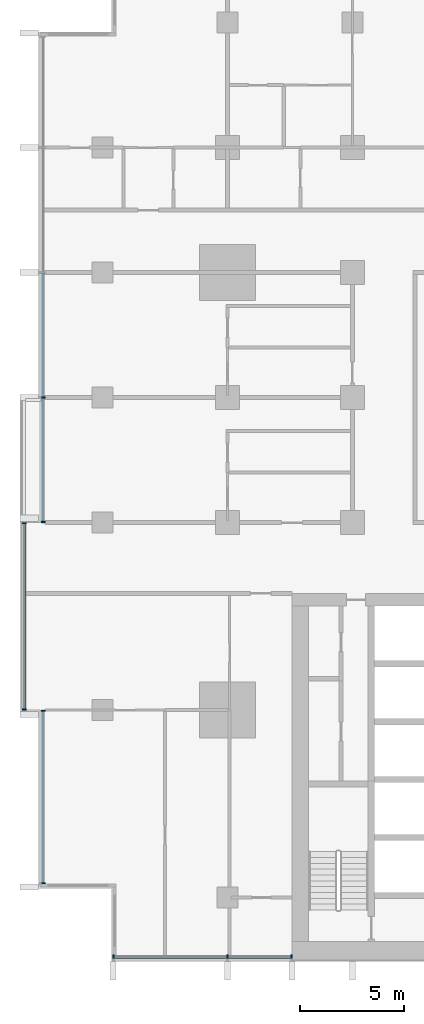
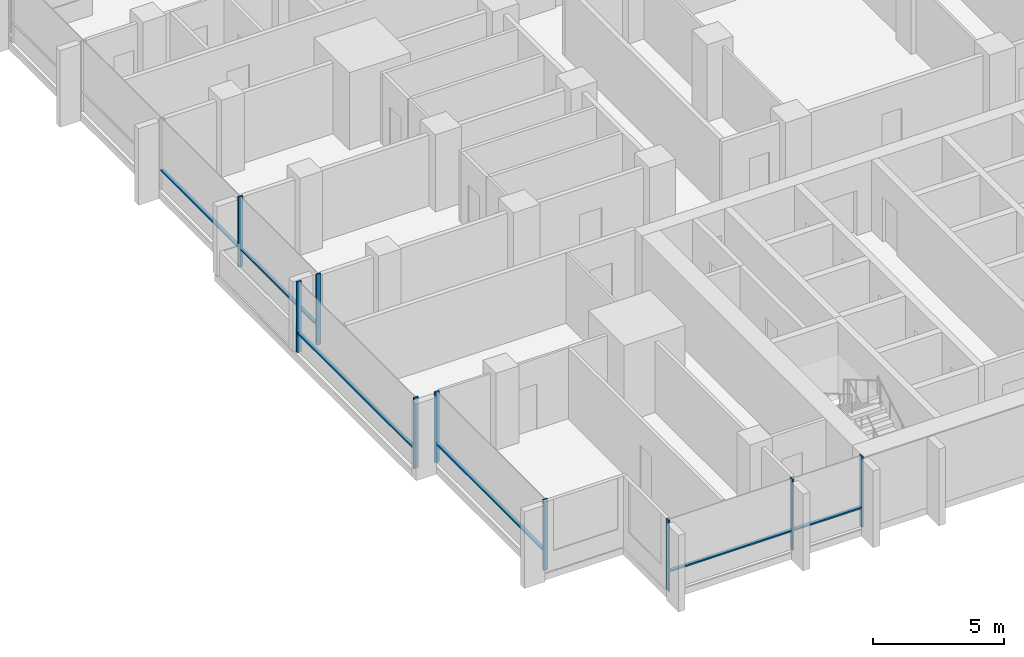
# One storey, part 2 of 17: 15 members, 4 elements without a shape of their own.
"""IFC4 building model written with IfcOpenShell, lengths in metres."""

from ifc_helpers import new_model, si_unit, direction, frame, origin, origin_2d, place, context, subcontext, project, spatial, rectangle, extrude, material, material_profile, profile_set, type_object, element, aggregate, save


model = new_model("IFC4")

# Units and contexts
model_context = context("Model", 3, precision=1e-05, world=origin(), true_north=direction((0.0, 1.0)))
body_context = subcontext(model_context, "Body", "Model", "MODEL_VIEW")
ifc_project = project(units=[si_unit("LENGTHUNIT", "METRE"), si_unit("AREAUNIT", "SQUARE_METRE"), si_unit("VOLUMEUNIT", "CUBIC_METRE"), si_unit("PLANEANGLEUNIT", "RADIAN"), si_unit("MASSUNIT", "GRAM", prefix="KILO")], contexts=[model_context])

# Site, building, storey
site_placement = place(None, origin())
site = spatial("IfcSite", under=ifc_project, at=site_placement, CompositionType="ELEMENT")
building_placement = place(site_placement, origin())
building = spatial("IfcBuilding", under=site, at=building_placement, Name="Finial Court Residences", CompositionType="ELEMENT")
storey_placement = place(building_placement, frame((0.0, 0.0, 124.300048828125)))
storey = spatial("IfcBuildingStorey", under=building, at=storey_placement, Name="L31", CompositionType="ELEMENT", Elevation=124.300048828125)

# Curtain wall, members
ifc_material = material(Name="Bronze anodised aluminium", Category="aluminium")
curtain_wall_type = type_object("IfcCurtainWallType", Name="Unitised curtain wall, lower and middle zones", PredefinedType="NOTDEFINED", material=ifc_material)
curtain_wall_1_placement = place(storey_placement, origin())
curtain_wall_1 = element("IfcCurtainWall", 1, at=curtain_wall_1_placement, inside=storey, type_object=curtain_wall_type, Name="E-L31-CW-S7", PredefinedType="NOTDEFINED")
ifc_material_profile_1 = material_profile(ifc_material, rectangle(XDim=0.199951171875, YDim=0.06494140625, at=origin_2d()), Name="CW1 mullion 65 x 200")
ifc_profile_set_1 = profile_set([ifc_material_profile_1], Name="Bronze anodised aluminium")
member_type_1 = type_object("IfcMemberType", Name="CW1 mullion 65 x 200", PredefinedType="MULLION", material=ifc_profile_set_1)
member_1_placement = place(storey_placement, frame((-21.967529296875, -25.35009765625, 0.0), z_axis=(0.0, 0.0, 1.0), x_axis=(0.0, 1.0, 0.0)))
member_1 = element("IfcMember", 2, at=member_1_placement, type_object=member_type_1, Name="CW1 mullion 1", PredefinedType="MULLION", context=body_context, shape_type="SweptSolid", body=[
    extrude(rectangle(XDim=0.199951171875, YDim=0.06494140625, at=origin_2d()), origin(), (0.0, 0.0, 1.0), 3.300048828125),
])
member_2_placement = place(storey_placement, frame((-16.5, -25.35009765625, 0.0), z_axis=(0.0, 0.0, 1.0), x_axis=(0.0, 1.0, 0.0)))
member_2 = element("IfcMember", 3, at=member_2_placement, type_object=member_type_1, Name="CW1 mullion 2", PredefinedType="MULLION", context=body_context, shape_type="SweptSolid", body=[
    extrude(rectangle(XDim=0.199951171875, YDim=0.06494140625, at=origin_2d()), origin(), (0.0, 0.0, 1.0), 3.300048828125),
])
member_3_placement = place(storey_placement, frame((-13.4326171875, -25.35009765625, 0.0), z_axis=(0.0, 0.0, 1.0), x_axis=(0.0, 1.0, 0.0)))
member_3 = element("IfcMember", 4, at=member_3_placement, type_object=member_type_1, Name="CW1 mullion 3", PredefinedType="MULLION", context=body_context, shape_type="SweptSolid", body=[
    extrude(rectangle(XDim=0.199951171875, YDim=0.06494140625, at=origin_2d()), origin(), (0.0, 0.0, 1.0), 3.300048828125),
])

curtain_wall_2_placement = place(storey_placement, origin())
curtain_wall_2 = element("IfcCurtainWall", 5, at=curtain_wall_2_placement, inside=storey, type_object=curtain_wall_type, Name="E-L31-CW-W9", PredefinedType="NOTDEFINED")
member_4_placement = place(storey_placement, frame((-25.35009765625, -21.8173828125, 0.0), z_axis=(0.0, 0.0, 1.0), x_axis=(-1.0, 0.0, 0.0)))
member_4 = element("IfcMember", 6, at=member_4_placement, type_object=member_type_1, Name="CW1 mullion 1", PredefinedType="MULLION", context=body_context, shape_type="SweptSolid", body=[
    extrude(rectangle(XDim=0.199951171875, YDim=0.06494140625, at=origin_2d()), origin(), (0.0, 0.0, 1.0), 3.300048828125),
])
member_5_placement = place(storey_placement, frame((-25.35009765625, -13.532470703125, 0.0), z_axis=(0.0, 0.0, 1.0), x_axis=(-1.0, 0.0, 0.0)))
member_5 = element("IfcMember", 7, at=member_5_placement, type_object=member_type_1, Name="CW1 mullion 2", PredefinedType="MULLION", context=body_context, shape_type="SweptSolid", body=[
    extrude(rectangle(XDim=0.199951171875, YDim=0.06494140625, at=origin_2d()), origin(), (0.0, 0.0, 1.0), 3.300048828125),
])

curtain_wall_3_placement = place(storey_placement, origin())
curtain_wall_3 = element("IfcCurtainWall", 8, at=curtain_wall_3_placement, inside=storey, type_object=curtain_wall_type, Name="E-L31-CW-W10", PredefinedType="NOTDEFINED")
member_6_placement = place(storey_placement, frame((-26.25, -13.467529296875, 0.0), z_axis=(0.0, 0.0, 1.0), x_axis=(-1.0, 0.0, 0.0)))
member_6 = element("IfcMember", 9, at=member_6_placement, type_object=member_type_1, Name="CW1 mullion 1", PredefinedType="MULLION", context=body_context, shape_type="SweptSolid", body=[
    extrude(rectangle(XDim=0.199951171875, YDim=0.06494140625, at=origin_2d()), origin(), (0.0, 0.0, 1.0), 3.300048828125),
])
member_7_placement = place(storey_placement, frame((-26.25, -4.532470703125, 0.0), z_axis=(0.0, 0.0, 1.0), x_axis=(-1.0, 0.0, 0.0)))
member_7 = element("IfcMember", 10, at=member_7_placement, type_object=member_type_1, Name="CW1 mullion 2", PredefinedType="MULLION", context=body_context, shape_type="SweptSolid", body=[
    extrude(rectangle(XDim=0.199951171875, YDim=0.06494140625, at=origin_2d()), origin(), (0.0, 0.0, 1.0), 3.300048828125),
])

curtain_wall_4_placement = place(storey_placement, origin())
curtain_wall_4 = element("IfcCurtainWall", 11, at=curtain_wall_4_placement, inside=storey, type_object=curtain_wall_type, Name="E-L31-CW-W11", PredefinedType="NOTDEFINED")
member_8_placement = place(storey_placement, frame((-25.35009765625, -4.467529296875, 0.0), z_axis=(0.0, 0.0, 1.0), x_axis=(-1.0, 0.0, 0.0)))
member_8 = element("IfcMember", 12, at=member_8_placement, type_object=member_type_1, Name="CW1 mullion 1", PredefinedType="MULLION", context=body_context, shape_type="SweptSolid", body=[
    extrude(rectangle(XDim=0.199951171875, YDim=0.06494140625, at=origin_2d()), origin(), (0.0, 0.0, 1.0), 3.300048828125),
])
member_9_placement = place(storey_placement, frame((-25.35009765625, 1.5, 0.0), z_axis=(0.0, 0.0, 1.0), x_axis=(-1.0, 0.0, 0.0)))
member_9 = element("IfcMember", 13, at=member_9_placement, type_object=member_type_1, Name="CW1 mullion 2", PredefinedType="MULLION", context=body_context, shape_type="SweptSolid", body=[
    extrude(rectangle(XDim=0.199951171875, YDim=0.06494140625, at=origin_2d()), origin(), (0.0, 0.0, 1.0), 3.300048828125),
])

# Member
ifc_material_profile_2 = material_profile(ifc_material, rectangle(XDim=0.14990234375, YDim=0.06494140625, at=origin_2d()), Name="CW1 transom 65 x 150")
ifc_profile_set_2 = profile_set([ifc_material_profile_2], Name="Bronze anodised aluminium")
member_type_2 = type_object("IfcMemberType", Name="CW1 transom 65 x 150", PredefinedType="USERDEFINED", material=ifc_profile_set_2)
member_10_placement = place(storey_placement, frame((-21.93505859375, -25.35009765625, 0.89990234375), z_axis=(1.0, 0.0, 0.0), x_axis=(0.0, 1.0, 0.0)))
member_10 = element("IfcMember", 14, at=member_10_placement, type_object=member_type_2, Name="CW1 transom 1.1", ObjectType="TRANSOM", PredefinedType="USERDEFINED", context=body_context, shape_type="SweptSolid", body=[
    extrude(rectangle(XDim=0.14990234375, YDim=0.06494140625, at=origin_2d()), origin(), (0.0, 0.0, 1.0), 5.402587890625),
])

member_11_placement = place(storey_placement, frame((-16.467529296875, -25.35009765625, 0.89990234375), z_axis=(1.0, 0.0, 0.0), x_axis=(0.0, 1.0, 0.0)))
member_11 = element("IfcMember", 15, at=member_11_placement, type_object=member_type_2, Name="CW1 transom 2.1", ObjectType="TRANSOM", PredefinedType="USERDEFINED", context=body_context, shape_type="SweptSolid", body=[
    extrude(rectangle(XDim=0.14990234375, YDim=0.06494140625, at=origin_2d()), origin(), (0.0, 0.0, 1.0), 3.00244140625),
])

aggregate(curtain_wall_1, [member_1, member_2, member_3, member_10, member_11])

member_12_placement = place(storey_placement, frame((-25.35009765625, -21.784912109375, 0.89990234375), z_axis=(0.0, 1.0, 0.0), x_axis=(-1.0, 0.0, 0.0)))
member_12 = element("IfcMember", 16, at=member_12_placement, type_object=member_type_2, Name="CW1 transom 1.1", ObjectType="TRANSOM", PredefinedType="USERDEFINED", context=body_context, shape_type="SweptSolid", body=[
    extrude(rectangle(XDim=0.14990234375, YDim=0.06494140625, at=origin_2d()), origin(), (0.0, 0.0, 1.0), 8.219970703125),
])

aggregate(curtain_wall_2, [member_4, member_5, member_12])

member_13_placement = place(storey_placement, frame((-26.25, -13.43505859375, 0.89990234375), z_axis=(0.0, 1.0, 0.0), x_axis=(-1.0, 0.0, 0.0)))
member_13 = element("IfcMember", 17, at=member_13_placement, type_object=member_type_2, Name="CW1 transom 1.1", ObjectType="TRANSOM", PredefinedType="USERDEFINED", context=body_context, shape_type="SweptSolid", body=[
    extrude(rectangle(XDim=0.14990234375, YDim=0.06494140625, at=origin_2d()), origin(), (0.0, 0.0, 1.0), 8.8701171875),
])

aggregate(curtain_wall_3, [member_6, member_7, member_13])

member_14_placement = place(storey_placement, frame((-25.35009765625, -4.43505859375, 0.89990234375), z_axis=(0.0, 1.0, 0.0), x_axis=(-1.0, 0.0, 0.0)))
member_14 = element("IfcMember", 18, at=member_14_placement, type_object=member_type_2, Name="CW1 transom 1.1", ObjectType="TRANSOM", PredefinedType="USERDEFINED", context=body_context, shape_type="SweptSolid", body=[
    extrude(rectangle(XDim=0.14990234375, YDim=0.06494140625, at=origin_2d()), origin(), (0.0, 0.0, 1.0), 5.902587890625),
])

member_15_placement = place(storey_placement, frame((-25.35009765625, 1.532470703125, 0.89990234375), z_axis=(0.0, 1.0, 0.0), x_axis=(-1.0, 0.0, 0.0)))
member_15 = element("IfcMember", 19, at=member_15_placement, type_object=member_type_2, Name="CW1 transom 2.1", ObjectType="TRANSOM", PredefinedType="USERDEFINED", context=body_context, shape_type="SweptSolid", body=[
    extrude(rectangle(XDim=0.14990234375, YDim=0.06494140625, at=origin_2d()), origin(), (0.0, 0.0, 1.0), 5.93505859375),
])

aggregate(curtain_wall_4, [member_8, member_9, member_14, member_15])

save(model, "model.ifc")
